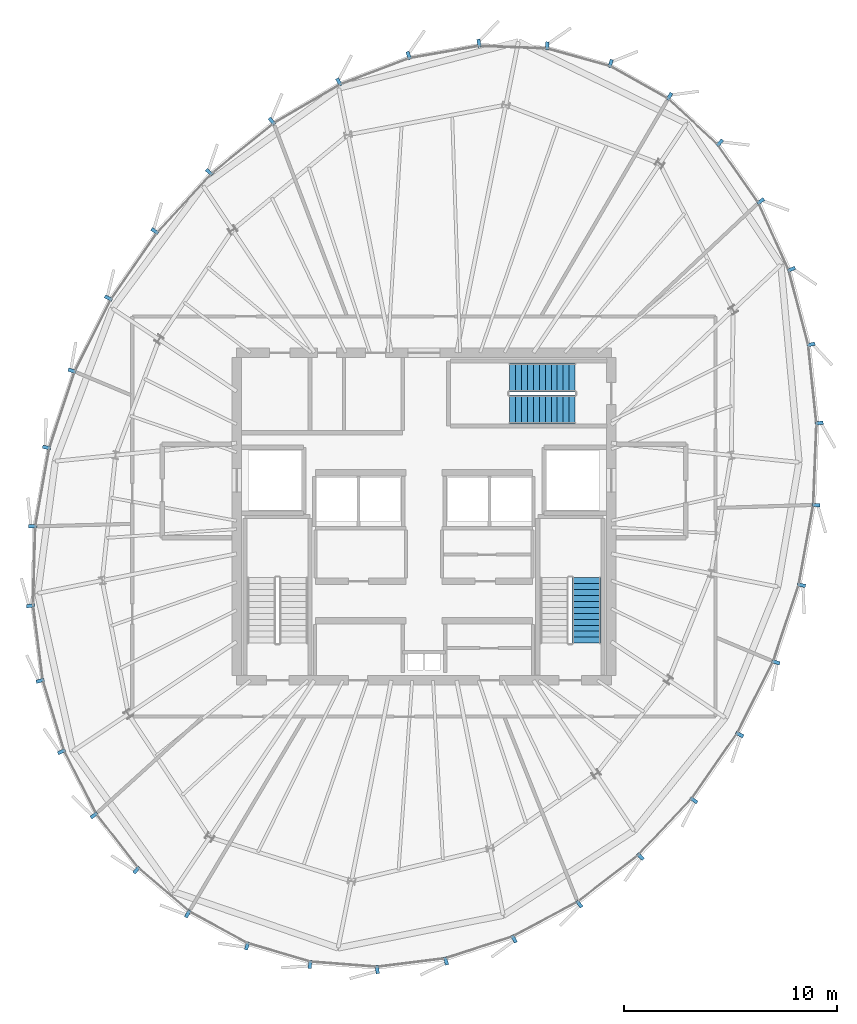
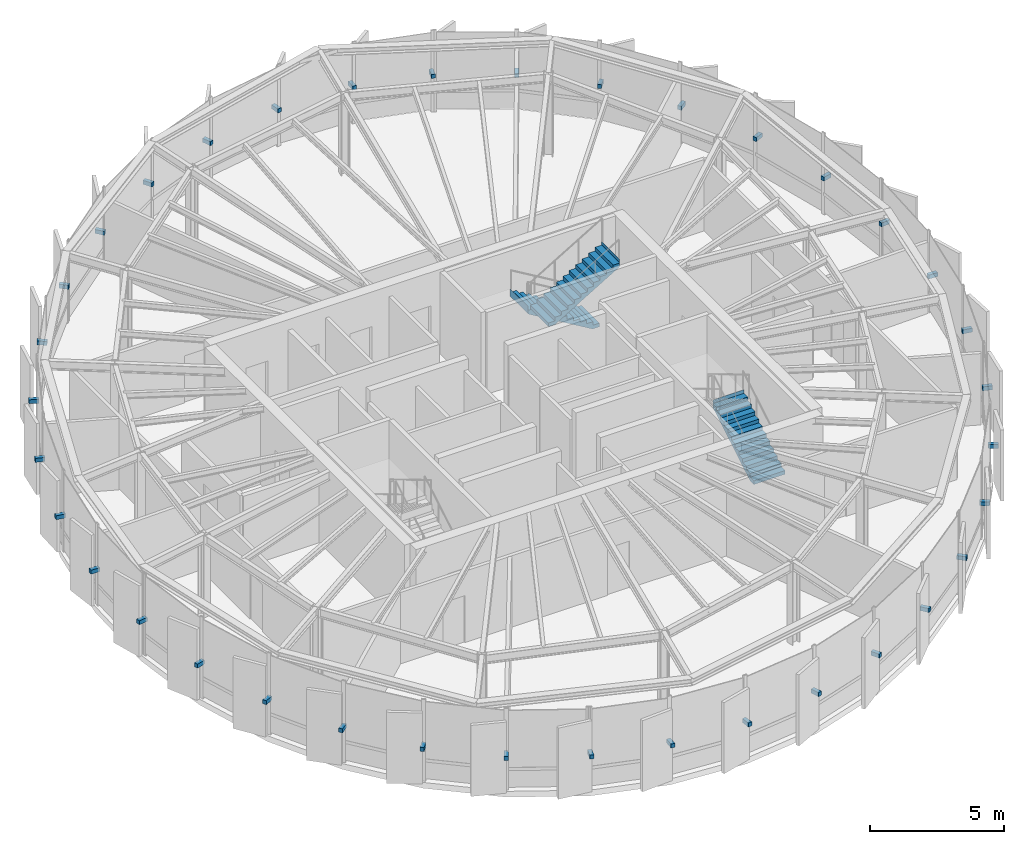
# One storey, part 22 of 25: 36 discrete accessories, 3 stair flights, 2 elements without a shape of their own.
"""IFC4 building model written with IfcOpenShell, lengths in metres."""

from ifc_helpers import new_model, si_unit, direction, frame, origin, origin_2d, place, context, subcontext, project, spatial, polyline, rectangle, outline, extrude, source, transform, mapped, material, type_object, element, aggregate, save


model = new_model("IFC4")

# Units and contexts
model_context = context("Model", 3, precision=1e-05, world=origin(), true_north=direction((0.0, 1.0)))
body_context = subcontext(model_context, "Body", "Model", "MODEL_VIEW")
ifc_project = project(units=[si_unit("LENGTHUNIT", "METRE"), si_unit("AREAUNIT", "SQUARE_METRE"), si_unit("VOLUMEUNIT", "CUBIC_METRE"), si_unit("PLANEANGLEUNIT", "RADIAN"), si_unit("MASSUNIT", "GRAM", prefix="KILO"), si_unit("THERMODYNAMICTEMPERATUREUNIT", "KELVIN")], contexts=[model_context])

# Site, building, storey
site_placement = place(None, origin())
site = spatial("IfcSite", under=ifc_project, at=site_placement, CompositionType="ELEMENT")
building_placement = place(site_placement, origin())
building = spatial("IfcBuilding", under=site, at=building_placement, Name="Kethvar Cultural Tower", CompositionType="ELEMENT")
storey_placement = place(building_placement, frame((0.0, 0.0, 304.300048828125)))
storey = spatial("IfcBuildingStorey", under=building, at=storey_placement, Name="L81", CompositionType="ELEMENT", Elevation=304.300048828125)

# Stair, stair flight
ifc_material_1 = material(Name="Concrete C40/50", Category="concrete")
stair_type = type_object("IfcStairType", Name="ST-DOGLEG-135", PredefinedType="HALF_TURN_STAIR", material=ifc_material_1)
stair_1_placement = place(storey_placement, origin())
stair_1 = element("IfcStair", 1, at=stair_1_placement, inside=storey, type_object=stair_type, Name="L81 Core Exit Stair 2", PredefinedType="HALF_TURN_STAIR")
stair_flight_type = type_object("IfcStairFlightType", Name="FL-STRAIGHT-135", PredefinedType="STRAIGHT", material=ifc_material_1)
stair_flight_1_placement = place(storey_placement, frame((54.43505859375, 21.85009765625, 0.0), z_axis=(0.0, 0.0, 1.0), x_axis=(0.0, 1.0, 0.0)))
stair_flight_1 = element("IfcStairFlight", 2, at=stair_flight_1_placement, type_object=stair_flight_type, Name="ST-02 flight 1", NumberOfRisers=12, NumberOfTreads=11, PredefinedType="STRAIGHT", RiserHeight=0.166666667, TreadLength=0.28, context=body_context, shape_type="SweptSolid", body=[
    extrude(outline(polyline([(-0.0009765625, -0.0009765625), (-0.0009765625, 0.166748046875), (0.280029296875, 0.166748046875), (0.280029296875, 0.333251953125), (0.56005859375, 0.333251953125), (0.56005859375, 0.5), (0.840087890625, 0.5), (0.840087890625, 0.666748046875), (1.1201171875, 0.666748046875), (1.1201171875, 0.833251953125), (1.39990234375, 0.833251953125), (1.39990234375, 1.0), (1.679931640625, 1.0), (1.679931640625, 1.166748046875), (1.9599609375, 1.166748046875), (1.9599609375, 1.333251953125), (2.239990234375, 1.333251953125), (2.239990234375, 1.5), (2.52001953125, 1.5), (2.52001953125, 1.666748046875), (2.800048828125, 1.666748046875), (2.800048828125, 1.833251953125), (3.080078125, 1.833251953125), (3.080078125, 2.0), (3.0810546875, 2.0), (3.0810546875, 1.658935546875), (0.29296875, 0.0), (0.0, -0.0009765625), (-0.0009765625, -0.0009765625)])), frame((0.0, 0.675048828125, 0.0), z_axis=(0.0, -1.0, 0.0), x_axis=(1.0, 0.0, 0.0)), (0.0, 0.0, 1.0), 1.35009765625),
])
aggregate(stair_1, [stair_flight_1])

# Stair, stair flights
stair_2_placement = place(storey_placement, origin())
stair_2 = element("IfcStair", 3, at=stair_2_placement, inside=storey, type_object=stair_type, Name="L81 Core Exit Stair 3", PredefinedType="HALF_TURN_STAIR")
stair_flight_2_placement = place(storey_placement, frame((53.89990234375, 34.3349609375, 0.0), z_axis=(0.0, 0.0, 1.0), x_axis=(-1.0, 0.0, 0.0)))
stair_flight_2 = element("IfcStairFlight", 4, at=stair_flight_2_placement, type_object=stair_flight_type, Name="ST-03 flight 1", NumberOfRisers=12, NumberOfTreads=11, PredefinedType="STRAIGHT", RiserHeight=0.166666667, TreadLength=0.28, context=body_context, shape_type="SweptSolid", body=[
    extrude(outline(polyline([(-0.0009765625, -0.0009765625), (-0.0009765625, 0.166748046875), (0.280029296875, 0.166748046875), (0.280029296875, 0.333251953125), (0.56005859375, 0.333251953125), (0.56005859375, 0.5), (0.840087890625, 0.5), (0.840087890625, 0.666748046875), (1.1201171875, 0.666748046875), (1.1201171875, 0.833251953125), (1.39990234375, 0.833251953125), (1.39990234375, 1.0), (1.679931640625, 1.0), (1.679931640625, 1.166748046875), (1.9599609375, 1.166748046875), (1.9599609375, 1.333251953125), (2.239990234375, 1.333251953125), (2.239990234375, 1.5), (2.52001953125, 1.5), (2.52001953125, 1.666748046875), (2.800048828125, 1.666748046875), (2.800048828125, 1.833251953125), (3.080078125, 1.833251953125), (3.080078125, 2.0), (3.0810546875, 2.0), (3.0810546875, 1.658935546875), (0.29296875, 0.0), (0.0, -0.0009765625), (-0.0009765625, -0.0009765625)])), frame((0.0, 0.675048828125, 0.0), z_axis=(0.0, -1.0, 0.0), x_axis=(1.0, 0.0, 0.0)), (0.0, 0.0, 1.0), 1.35009765625),
])
stair_flight_3_placement = place(storey_placement, frame((50.820068359375, 32.824951171875, 2.0), z_axis=(0.0, 0.0, 1.0), x_axis=(1.0, 0.0, 0.0)))
stair_flight_3 = element("IfcStairFlight", 5, at=stair_flight_3_placement, type_object=stair_flight_type, Name="ST-03 flight 2", NumberOfRisers=12, NumberOfTreads=11, PredefinedType="STRAIGHT", RiserHeight=0.166666667, TreadLength=0.28, context=body_context, shape_type="SweptSolid", body=[
    extrude(outline(polyline([(-0.0009765625, -0.0009765625), (-0.0009765625, 0.166748046875), (0.280029296875, 0.166748046875), (0.280029296875, 0.333251953125), (0.56005859375, 0.333251953125), (0.56005859375, 0.5), (0.840087890625, 0.5), (0.840087890625, 0.666748046875), (1.1201171875, 0.666748046875), (1.1201171875, 0.833251953125), (1.39990234375, 0.833251953125), (1.39990234375, 1.0), (1.679931640625, 1.0), (1.679931640625, 1.166748046875), (1.9599609375, 1.166748046875), (1.9599609375, 1.333251953125), (2.239990234375, 1.333251953125), (2.239990234375, 1.5), (2.52001953125, 1.5), (2.52001953125, 1.666748046875), (2.800048828125, 1.666748046875), (2.800048828125, 1.833251953125), (3.080078125, 1.833251953125), (3.080078125, 2.0), (3.0810546875, 2.0), (3.0810546875, 1.658935546875), (0.29296875, 0.0), (0.0, -0.0009765625), (-0.0009765625, -0.0009765625)])), frame((0.0, 0.675048828125, 0.0), z_axis=(0.0, -1.0, 0.0), x_axis=(1.0, 0.0, 0.0)), (0.0, 0.0, 1.0), 1.35009765625),
])
aggregate(stair_2, [stair_flight_2, stair_flight_3])

# Discrete accessories
ifc_material_2 = material(Name="Steel S355J2", Category="steel")
discrete_accessory_type = type_object("IfcDiscreteAccessoryType", Name="Steel Fin Bracket BRK-01", PredefinedType="BRACKET", material=ifc_material_2)
shared_shape = source(origin(), body_context, "Body", "SweptSolid", [
    extrude(rectangle(XDim=0.3798828125, YDim=0.159912109375, at=origin_2d()), origin(), (0.0, 0.0, 1.0), 0.179931640625),
])
for number, where, z_axis, x_axis, name in (
    (6, (55.568603515625, 49.08203125, 1.55517578125), (0.0, 0.0, 1.0), (0.26875171294, 0.963209487491, 0.0), "L81 Terracotta Fin Bracket 1.1"),
    (7, (52.59423828125, 49.911376953125, 1.55517578125), (0.0, 0.0, 1.0), (0.038911016641, 0.999242679625, 0.0), "L81 Terracotta Fin Bracket 1.2"),
    (8, (49.385009765625, 50.0361328125, 1.55517578125), (0.0, 0.0, 1.0), (-0.172788704766, 0.984958914628, 0.0), "L81 Terracotta Fin Bracket 1.3"),
    (9, (46.085693359375, 49.45703125, 1.55517578125), (0.0, 0.0, 1.0), (-0.354291037998, 0.935135209686, 0.0), "L81 Terracotta Fin Bracket 1.4"),
    (10, (42.80615234375, 48.214111328125, 1.55517578125), (0.0, 0.0, 1.0), (-0.50513026462, 0.863043113503, 0.0), "L81 Terracotta Fin Bracket 1.5"),
    (11, (39.656005859375, 46.37060546875, 1.55517578125), (0.0, 0.0, 1.0), (-0.629998339126, 0.776596479968, 0.0), "L81 Terracotta Fin Bracket 1.6"),
    (12, (36.7119140625, 43.97412109375, 1.55517578125), (0.0, 0.0, 1.0), (-0.734677827999, 0.678416162135, 0.0), "L81 Terracotta Fin Bracket 2.1"),
    (13, (34.154052734375, 41.204345703125, 1.55517578125), (0.0, 0.0, 1.0), (-0.822442002381, 0.568848971802, 0.0), "L81 Terracotta Fin Bracket 2.2"),
    (14, (31.976806640625, 38.056884765625, 1.55517578125), (0.0, 0.0, 1.0), (-0.894232371924, 0.447603021665, 0.0), "L81 Terracotta Fin Bracket 2.3"),
    (15, (30.27001953125, 34.64599609375, 1.55517578125), (0.0, 0.0, 1.0), (-0.948876011644, 0.315649036947, 0.0), "L81 Terracotta Fin Bracket 2.4"),
    (16, (29.0712890625, 31.041259765625, 1.55517578125), (0.0, 0.0, 1.0), (-0.984472557712, 0.17553855164, 0.0), "L81 Terracotta Fin Bracket 2.5"),
    (17, (28.410888671875, 27.338134765625, 1.55517578125), (0.0, 0.0, 1.0), (-0.999619800631, 0.027572707275, 0.0), "L81 Terracotta Fin Bracket 2.6"),
    (18, (28.314697265625, 23.60693359375, 1.55517578125), (0.0, 0.0, 1.0), (-0.991760837, -0.128103248172, 0.0), "L81 Terracotta Fin Bracket 3.1"),
    (19, (28.76953125, 20.08544921875, 1.55517578125), (0.0, 0.0, 1.0), (-0.957117481996, -0.289700061544, 0.0), "L81 Terracotta Fin Bracket 3.2"),
    (20, (29.777587890625, 16.756591796875, 1.55517578125), (0.0, 0.0, 1.0), (-0.891006524188, -0.45399049974, 0.0), "L81 Terracotta Fin Bracket 3.3"),
    (21, (31.302978515625, 13.762939453125, 1.55517578125), (0.0, 0.0, 1.0), (-0.789405615633, -0.613871952452, 0.0), "L81 Terracotta Fin Bracket 3.4"),
    (22, (33.29931640625, 11.19580078125, 1.55517578125), (0.0, 0.0, 1.0), (-0.650774217266, -0.759271307335, 0.0), "L81 Terracotta Fin Bracket 3.5"),
    (23, (35.705810546875, 9.13330078125, 1.55517578125), (0.0, 0.0, 1.0), (-0.478538613714, -0.878066509545, 0.0), "L81 Terracotta Fin Bracket 3.6"),
    (24, (38.490234375, 7.626220703125, 1.55517578125), (0.0, 0.0, 1.0), (-0.282508884416, -0.959264682049, 0.0), "L81 Terracotta Fin Bracket 4.1"),
    (25, (41.447509765625, 6.755615234375, 1.55517578125), (0.0, 0.0, 1.0), (-0.076719028127, -0.997052752227, 0.0), "L81 Terracotta Fin Bracket 4.2"),
    (26, (44.607421875, 6.5126953125, 1.55517578125), (0.0, 0.0, 1.0), (0.124121043561, -0.99226708428, 0.0), "L81 Terracotta Fin Bracket 4.3"),
    (27, (47.834228515625, 6.91650390625, 1.55517578125), (0.0, 0.0, 1.0), (0.309016994375, -0.951056516295, 0.0), "L81 Terracotta Fin Bracket 4.4"),
    (28, (51.029296875, 7.955078125, 1.55517578125), (0.0, 0.0, 1.0), (0.471935383883, -0.881633139939, 0.0), "L81 Terracotta Fin Bracket 4.5"),
    (29, (54.095703125, 9.596435546875, 1.55517578125), (0.0, 0.0, 1.0), (0.610698137684, -0.791863488633, 0.0), "L81 Terracotta Fin Bracket 4.6"),
    (30, (56.9697265625, 11.821533203125, 1.55517578125), (0.0, 0.0, 1.0), (0.726334787924, -0.687341091345, 0.0), "L81 Terracotta Fin Bracket 5.1"),
    (31, (59.477294921875, 14.471435546875, 1.55517578125), (0.0, 0.0, 1.0), (0.820251721675, -0.572002721226, 0.0), "L81 Terracotta Fin Bracket 5.2"),
    (32, (61.62890625, 17.55712890625, 1.55517578125), (0.0, 0.0, 1.0), (0.894154236839, -0.447759087839, 0.0), "L81 Terracotta Fin Bracket 5.3"),
    (33, (63.329833984375, 20.953857421875, 1.55517578125), (0.0, 0.0, 1.0), (0.948820906043, -0.315814642245, 0.0), "L81 Terracotta Fin Bracket 5.4"),
    (34, (64.534423828125, 24.572509765625, 1.55517578125), (0.0, 0.0, 1.0), (0.983791282448, -0.179317351584, 0.0), "L81 Terracotta Fin Bracket 5.5"),
    (35, (65.220458984375, 28.337646484375, 1.55517578125), (0.0, 0.0, 1.0), (0.999208342878, -0.039783005453, 0.0), "L81 Terracotta Fin Bracket 5.6"),
    (36, (65.367431640625, 32.189208984375, 1.55517578125), (0.0, 0.0, 1.0), (0.994612734963, 0.103660539498, 0.0), "L81 Terracotta Fin Bracket 6.1"),
    (37, (64.982666015625, 35.88134765625, 1.55517578125), (0.0, 0.0, 1.0), (0.96744467351, 0.253082602519, 0.0), "L81 Terracotta Fin Bracket 6.2"),
    (38, (64.05859375, 39.41259765625, 1.55517578125), (0.0, 0.0, 1.0), (0.911762043577, 0.410718852613, 0.0), "L81 Terracotta Fin Bracket 6.3"),
    (39, (62.617919921875, 42.610595703125, 1.55517578125), (0.0, 0.0, 1.0), (0.818651192576, 0.574291062871, 0.0), "L81 Terracotta Fin Bracket 6.4"),
    (40, (60.694091796875, 45.352783203125, 1.55517578125), (0.0, 0.0, 1.0), (0.679057031084, 0.734085518544, 0.0), "L81 Terracotta Fin Bracket 6.5"),
    (41, (58.336181640625, 47.53369140625, 1.55517578125), (0.0, 0.0, 1.0), (0.491055801632, 0.871128118983, 0.0), "L81 Terracotta Fin Bracket 6.6"),
):
    element("IfcDiscreteAccessory", number, at=place(storey_placement, frame(where, z_axis=z_axis, x_axis=x_axis)), inside=storey, type_object=discrete_accessory_type, Name=name, PredefinedType="BRACKET", context=body_context, shape_type="MappedRepresentation", body=[
        mapped(shared_shape, transform((0.0, 0.0, 0.0), scale=1.0)),
    ])

save(model, "model.ifc")
